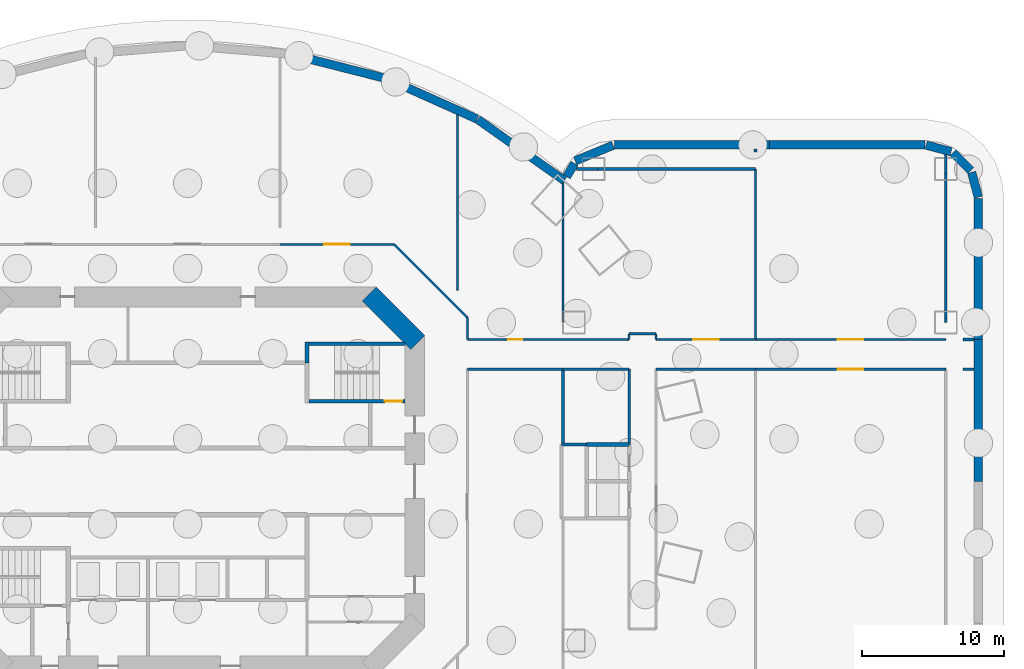
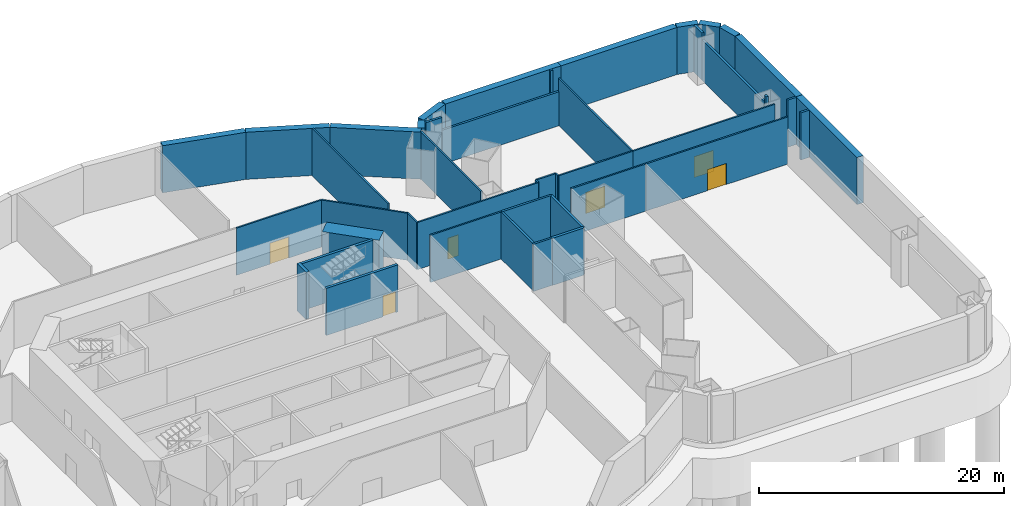
# One storey, part 6 of 9: 44 walls, 6 doors, 6 openings.
"""IFC4 building model written with IfcOpenShell, lengths in metres."""

from ifc_helpers import new_model, si_unit, direction, frame, frame_2d, origin, place, context, subcontext, project, spatial, rectangle, extrude, material, layer, layer_set, type_object, element, fill, save


model = new_model("IFC4")

# Units and contexts
model_context = context("Model", 3, precision=1e-05, world=origin(), true_north=direction((0.0, 1.0)))
body_context = subcontext(model_context, "Body", "Model", "MODEL_VIEW")
ifc_project = project(units=[si_unit("LENGTHUNIT", "METRE"), si_unit("AREAUNIT", "SQUARE_METRE"), si_unit("VOLUMEUNIT", "CUBIC_METRE"), si_unit("PLANEANGLEUNIT", "RADIAN"), si_unit("MASSUNIT", "GRAM", prefix="KILO")], contexts=[model_context])

# Site, building, storey
site_placement = place(None, origin())
site = spatial("IfcSite", under=ifc_project, at=site_placement, CompositionType="ELEMENT")
building_placement = place(site_placement, origin())
building = spatial("IfcBuilding", under=site, at=building_placement, Name="Marenthal Gate Tower", CompositionType="ELEMENT")
storey_placement = place(building_placement, frame((0.0, 0.0, -10.0)))
storey = spatial("IfcBuildingStorey", under=building, at=storey_placement, Name="B2", CompositionType="ELEMENT", Elevation=-10.0)

# Walls
ifc_material_1 = material(Name="Concrete 50 MPa", Category="concrete")
ifc_layer_1 = layer(ifc_material_1, 0.60009765625)
ifc_layer_set_1 = layer_set([ifc_layer_1], Name="BASEMENT WALL 600")
wall_type_1 = type_object("IfcWallType", Name="BASEMENT WALL 600", PredefinedType="SOLIDWALL", material=ifc_layer_set_1)
wall_1_placement = place(storey_placement, frame((55.699951171875, 0.00048828125, 0.0), z_axis=(0.0, 0.0, 1.0), x_axis=(0.0, 1.0, 0.0)))
element("IfcWall", 1, at=wall_1_placement, inside=storey, type_object=wall_type_1, Name="BW-B2-18", PredefinedType="SOLIDWALL", context=body_context, shape_type="SweptSolid", body=[
    extrude(rectangle(XDim=9.98974609375, YDim=0.60009765625, at=frame_2d((4.994873046875, 0.0))), origin(), (0.0, 0.0, 1.0), 4.699951171875),
])
wall_2_placement = place(storey_placement, frame((55.699951171875, 9.99072265625, 0.0), z_axis=(0.0, 0.0, 1.0), x_axis=(0.0, 1.0, 0.0)))
element("IfcWall", 2, at=wall_2_placement, inside=storey, type_object=wall_type_1, Name="BW-B2-19", PredefinedType="SOLIDWALL", context=body_context, shape_type="SweptSolid", body=[
    extrude(rectangle(XDim=9.9501953125, YDim=0.60009765625, at=frame_2d((4.97509765625, 0.0))), origin(), (0.0, 0.0, 1.0), 4.699951171875),
])
wall_3_placement = place(storey_placement, frame((55.690185546875, 20.0166015625, 0.0), z_axis=(0.0, 0.0, 1.0), x_axis=(-0.257411521733, 0.966301872336, 0.0)))
element("IfcWall", 3, at=wall_3_placement, inside=storey, type_object=wall_type_1, Name="BW-B2-20", PredefinedType="SOLIDWALL", context=body_context, shape_type="SweptSolid", body=[
    extrude(rectangle(XDim=1.8154296875, YDim=0.60009765625, at=frame_2d((0.90771484375, 0.0))), origin(), (0.0, 0.0, 1.0), 4.699951171875),
])
wall_4_placement = place(storey_placement, frame((55.146484375, 21.904052734375, 0.0), z_axis=(0.0, 0.0, 1.0), x_axis=(-0.707037214875, 0.707176340655, 0.0)))
element("IfcWall", 4, at=wall_4_placement, inside=storey, type_object=wall_type_1, Name="BW-B2-21", PredefinedType="SOLIDWALL", context=body_context, shape_type="SweptSolid", body=[
    extrude(rectangle(XDim=1.7548828125, YDim=0.60009765625, at=frame_2d((0.87744140625, 0.0))), origin(), (0.0, 0.0, 1.0), 4.699951171875),
])
wall_5_placement = place(storey_placement, frame((53.77294921875, 23.22216796875, 0.0), z_axis=(0.0, 0.0, 1.0), x_axis=(-0.966252788837, 0.257595706611, 0.0)))
element("IfcWall", 5, at=wall_5_placement, inside=storey, type_object=wall_type_1, Name="BW-B2-22", PredefinedType="SOLIDWALL", context=body_context, shape_type="SweptSolid", body=[
    extrude(rectangle(XDim=1.81591796875, YDim=0.60009765625, at=frame_2d((0.907958984375, 0.0))), origin(), (0.0, 0.0, 1.0), 4.699951171875),
])
wall_6_placement = place(storey_placement, frame((51.94287109375, 23.699951171875, 0.0), z_axis=(0.0, 0.0, 1.0), x_axis=(-1.0, 0.0, 0.0)))
element("IfcWall", 6, at=wall_6_placement, inside=storey, type_object=wall_type_1, Name="BW-B2-23", PredefinedType="SOLIDWALL", context=body_context, shape_type="SweptSolid", body=[
    extrude(rectangle(XDim=10.94287109375, YDim=0.60009765625, at=frame_2d((5.471435546875, 0.0))), origin(), (0.0, 0.0, 1.0), 4.699951171875),
])
wall_7_placement = place(storey_placement, frame((40.99951171875, 23.699951171875, 0.0), z_axis=(0.0, 0.0, 1.0), x_axis=(-1.0, 0.0, 0.0)))
element("IfcWall", 7, at=wall_7_placement, inside=storey, type_object=wall_type_1, Name="BW-B2-24", PredefinedType="SOLIDWALL", context=body_context, shape_type="SweptSolid", body=[
    extrude(rectangle(XDim=10.92041015625, YDim=0.60009765625, at=frame_2d((5.460205078125, 0.0))), origin(), (0.0, 0.0, 1.0), 4.699951171875),
])
wall_8_placement = place(storey_placement, frame((29.966552734375, 23.677978515625, 0.0), z_axis=(0.0, 0.0, 1.0), x_axis=(-0.924594107129, -0.380953720368, 0.0)))
element("IfcWall", 8, at=wall_8_placement, inside=storey, type_object=wall_type_1, Name="BW-B2-25", PredefinedType="SOLIDWALL", context=body_context, shape_type="SweptSolid", body=[
    extrude(rectangle(XDim=2.890380859375, YDim=0.60009765625, at=frame_2d((1.4453125, 0.0))), origin(), (0.0, 0.0, 1.0), 4.699951171875),
])
wall_9_placement = place(storey_placement, frame((27.253173828125, 22.3955078125, 0.0), z_axis=(0.0, 0.0, 1.0), x_axis=(-0.517277311774, -0.855817844359, 0.0)))
element("IfcWall", 9, at=wall_9_placement, inside=storey, type_object=wall_type_1, Name="BW-B2-26", PredefinedType="SOLIDWALL", context=body_context, shape_type="SweptSolid", body=[
    extrude(rectangle(XDim=1.083251953125, YDim=0.60009765625, at=frame_2d((0.54150390625, 0.0))), origin(), (0.0, 0.0, 1.0), 4.699951171875),
])
wall_10_placement = place(storey_placement, frame((26.52587890625, 21.193115234375, 0.0), z_axis=(0.0, 0.0, 1.0), x_axis=(-0.81677189091, 0.576960725023, 0.0)))
element("IfcWall", 10, at=wall_10_placement, inside=storey, type_object=wall_type_1, Name="BW-B2-27", PredefinedType="SOLIDWALL", context=body_context, shape_type="SweptSolid", body=[
    extrude(rectangle(XDim=7.459228515625, YDim=0.60009765625, at=frame_2d((3.7294921875, 0.0))), origin(), (0.0, 0.0, 1.0), 4.699951171875),
])
wall_11_placement = place(storey_placement, frame((20.384521484375, 25.52490234375, 0.0), z_axis=(0.0, 0.0, 1.0), x_axis=(-0.912664491664, 0.408709585959, 0.0)))
element("IfcWall", 11, at=wall_11_placement, inside=storey, type_object=wall_type_1, Name="BW-B2-28", PredefinedType="SOLIDWALL", context=body_context, shape_type="SweptSolid", body=[
    extrude(rectangle(XDim=6.90283203125, YDim=0.60009765625, at=frame_2d((3.451416015625, 0.0))), origin(), (0.0, 0.0, 1.0), 4.699951171875),
])
wall_12_placement = place(storey_placement, frame((14.037353515625, 28.36279296875, 0.0), z_axis=(0.0, 0.0, 1.0), x_axis=(-0.96919567172, 0.246292001332, 0.0)))
element("IfcWall", 12, at=wall_12_placement, inside=storey, type_object=wall_type_1, Name="BW-B2-29", PredefinedType="SOLIDWALL", context=body_context, shape_type="SweptSolid", body=[
    extrude(rectangle(XDim=7.061767578125, YDim=0.60009765625, at=frame_2d((3.53076171875, 0.0))), origin(), (0.0, 0.0, 1.0), 4.699951171875),
])
ifc_material_2 = material(Name="Concrete 60 MPa", Category="concrete")
ifc_layer_2 = layer(ifc_material_2, 1.39990234375)
ifc_layer_set_2 = layer_set([ifc_layer_2], Name="Core shear wall 1400")
wall_type_2 = type_object("IfcWallType", Name="Core shear wall 1400", PredefinedType="SHEAR", material=ifc_layer_set_2)
wall_13_placement = place(storey_placement, frame((16.205078125, 9.794921875, 0.0), z_axis=(0.0, 0.0, 1.0), x_axis=(-0.707106781187, 0.707106781187, 0.0)))
element("IfcWall", 13, at=wall_13_placement, inside=storey, type_object=wall_type_2, Name="Core wall 03", PredefinedType="SHEAR", context=body_context, shape_type="SweptSolid", body=[
    extrude(rectangle(XDim=4.82275390625, YDim=1.39990234375, at=frame_2d((2.411376953125, 0.0))), origin(), (0.0, 0.0, 1.0), 4.699951171875),
])
ifc_material_3 = material(Name="Concrete 40 MPa", Category="concrete")
ifc_layer_3 = layer(ifc_material_3, 0.25)
ifc_layer_set_3 = layer_set([ifc_layer_3], Name="Hoistway wall 250")
wall_type_3 = type_object("IfcWallType", Name="Hoistway wall 250", PredefinedType="STANDARD", material=ifc_layer_set_3)
wall_14_placement = place(storey_placement, frame((28.10009765625, 2.60009765625, 0.0), z_axis=(0.0, 0.0, 1.0), x_axis=(1.0, 0.0, 0.0)))
element("IfcWall", 14, at=wall_14_placement, inside=storey, type_object=wall_type_3, Name="Hoistway wall 48", PredefinedType="STANDARD", context=body_context, shape_type="SweptSolid", body=[
    extrude(rectangle(XDim=3.0, YDim=0.25, at=frame_2d((1.5, 0.0))), origin(), (0.0, 0.0, 1.0), 4.699951171875),
])
ifc_material_4 = material(Name="Gypsum board on steel studs", Category="steel")
ifc_layer_4 = layer(ifc_material_4, 0.14990234375)
ifc_layer_set_4 = layer_set([ifc_layer_4], Name="Partition 150")
wall_type_4 = type_object("IfcWallType", Name="Partition 150", PredefinedType="PARTITIONING", material=ifc_layer_set_4)
wall_15_placement = place(storey_placement, frame((33.0, 7.89990234375, 0.0), z_axis=(0.0, 0.0, 1.0), x_axis=(1.0, 0.0, 0.0)))
element("IfcWall", 15, at=wall_15_placement, inside=storey, type_object=wall_type_4, Name="Partition wall 55", PredefinedType="PARTITIONING", context=body_context, shape_type="SweptSolid", body=[
    extrude(rectangle(XDim=7.0048828125, YDim=0.14990234375, at=frame_2d((3.50244140625, 0.0))), origin(), (0.0, 0.0, 1.0), 4.699951171875),
])

# Wall, opening, door
wall_16_placement = place(storey_placement, frame((19.699951171875, 10.0, 0.0), z_axis=(0.0, 0.0, 1.0), x_axis=(1.0, 0.0, 0.0)))
wall_16 = element("IfcWall", 16, at=wall_16_placement, inside=storey, type_object=wall_type_4, Name="Partition wall 57", PredefinedType="PARTITIONING", context=body_context, shape_type="SweptSolid", body=[
    extrude(rectangle(XDim=11.400146484375, YDim=0.14990234375, at=frame_2d((5.7001953125, 0.0))), origin(), (0.0, 0.0, 1.0), 4.699951171875),
])
opening_1_placement = place(wall_16_placement, frame((2.875, 0.0, 0.0)))
opening_1 = element("IfcOpeningElement", 17, at=opening_1_placement, cuts=wall_16, Name="Opening D009.02", PredefinedType="OPENING", context=body_context, shape_type="SweptSolid", body=[
    extrude(rectangle(XDim=1.0, YDim=2.10009765625, at=frame_2d((0.5, 1.050048828125))), frame((0.0, 0.0849609375, 0.0), z_axis=(0.0, -1.0, 0.0), x_axis=(1.0, 0.0, 0.0)), (0.0, 0.0, 1.0), 0.169921875),
])
ifc_material_5 = material(Name="Steel fire door", Category="steel")
door_type_1 = type_object("IfcDoorType", Name="Fire door FD 90 1000 x 2100", OperationType="NOTDEFINED", PredefinedType="DOOR", material=ifc_material_5)
door_1_placement = place(opening_1_placement, origin())
door_1 = element("IfcDoor", 18, at=door_1_placement, inside=storey, type_object=door_type_1, Name="Door D009.02", OperationType="SINGLE_SWING_RIGHT", OverallHeight=2.10009765625, OverallWidth=1.0, PredefinedType="DOOR", context=body_context, shape_type="SweptSolid", body=[
    extrude(rectangle(XDim=1.0, YDim=2.10009765625, at=frame_2d((0.5, 1.050048828125))), frame((0.0, 0.02490234375, 0.0), z_axis=(0.0, -1.0, 0.0), x_axis=(1.0, 0.0, 0.0)), (0.0, 0.0, 1.0), 0.050048828125),
])
fill(opening_1, door_1)

wall_17_placement = place(storey_placement, frame((33.0, 10.0, 0.0), z_axis=(0.0, 0.0, 1.0), x_axis=(1.0, 0.0, 0.0)))
wall_17 = element("IfcWall", 19, at=wall_17_placement, inside=storey, type_object=wall_type_4, Name="Partition wall 58", PredefinedType="PARTITIONING", context=body_context, shape_type="SweptSolid", body=[
    extrude(rectangle(XDim=7.0048828125, YDim=0.14990234375, at=frame_2d((3.50244140625, 0.0))), origin(), (0.0, 0.0, 1.0), 4.699951171875),
])
opening_2_placement = place(wall_17_placement, frame((2.60009765625, 0.0, 0.0)))
opening_2 = element("IfcOpeningElement", 20, at=opening_2_placement, cuts=wall_17, Name="Opening D008.04", PredefinedType="OPENING", context=body_context, shape_type="SweptSolid", body=[
    extrude(rectangle(XDim=1.800048828125, YDim=2.10009765625, at=frame_2d((0.89990234375, 1.050048828125))), frame((0.0, 0.0849609375, 0.0), z_axis=(0.0, -1.0, 0.0), x_axis=(1.0, 0.0, 0.0)), (0.0, 0.0, 1.0), 0.169921875),
])
ifc_material_6 = material(Name="Steel fire door", Category="steel")
door_type_2 = type_object("IfcDoorType", Name="Double fire door FD 90 1800 x 2100", OperationType="DOUBLE_DOOR_SINGLE_SWING", PredefinedType="DOOR", material=ifc_material_6)
door_2_placement = place(opening_2_placement, origin())
door_2 = element("IfcDoor", 21, at=door_2_placement, inside=storey, type_object=door_type_2, Name="Door D008.04", OperationType="DOUBLE_DOOR_SINGLE_SWING", OverallHeight=2.10009765625, OverallWidth=1.800048828125, PredefinedType="DOOR", context=body_context, shape_type="SweptSolid", body=[
    extrude(rectangle(XDim=1.800048828125, YDim=2.10009765625, at=frame_2d((0.89990234375, 1.050048828125))), frame((0.0, 0.02490234375, 0.0), z_axis=(0.0, -1.0, 0.0), x_axis=(1.0, 0.0, 0.0)), (0.0, 0.0, 1.0), 0.050048828125),
])
fill(opening_2, door_2)

# Wall
wall_18_placement = place(storey_placement, frame((31.10009765625, 10.39990234375, 0.0), z_axis=(0.0, 0.0, 1.0), x_axis=(1.0, 0.0, 0.0)))
element("IfcWall", 22, at=wall_18_placement, inside=storey, type_object=wall_type_4, Name="Partition wall 59", PredefinedType="PARTITIONING", context=body_context, shape_type="SweptSolid", body=[
    extrude(rectangle(XDim=1.89990234375, YDim=0.14990234375, at=frame_2d((0.949951171875, 0.0))), origin(), (0.0, 0.0, 1.0), 4.699951171875),
])

# Wall, opening, door
wall_19_placement = place(storey_placement, frame((6.4951171875, 16.699951171875, 0.0), z_axis=(0.0, 0.0, 1.0), x_axis=(1.0, 0.0, 0.0)))
wall_19 = element("IfcWall", 23, at=wall_19_placement, inside=storey, type_object=wall_type_4, Name="Partition wall 60", PredefinedType="PARTITIONING", context=body_context, shape_type="SweptSolid", body=[
    extrude(rectangle(XDim=8.037353515625, YDim=0.14990234375, at=frame_2d((4.0185546875, 0.0))), origin(), (0.0, 0.0, 1.0), 4.699951171875),
])
opening_3_placement = place(wall_19_placement, frame((3.121337890625, 0.0, 0.0)))
opening_3 = element("IfcOpeningElement", 24, at=opening_3_placement, cuts=wall_19, Name="Opening D008.03", PredefinedType="OPENING", context=body_context, shape_type="SweptSolid", body=[
    extrude(rectangle(XDim=1.800048828125, YDim=2.10009765625, at=frame_2d((0.89990234375, 1.050048828125))), frame((0.0, 0.0849609375, 0.0), z_axis=(0.0, -1.0, 0.0), x_axis=(1.0, 0.0, 0.0)), (0.0, 0.0, 1.0), 0.169921875),
])
door_3_placement = place(opening_3_placement, origin())
door_3 = element("IfcDoor", 25, at=door_3_placement, inside=storey, type_object=door_type_2, Name="Door D008.03", OperationType="DOUBLE_DOOR_SINGLE_SWING", OverallHeight=2.10009765625, OverallWidth=1.800048828125, PredefinedType="DOOR", context=body_context, shape_type="SweptSolid", body=[
    extrude(rectangle(XDim=1.800048828125, YDim=2.10009765625, at=frame_2d((0.89990234375, 1.050048828125))), frame((0.0, 0.02490234375, 0.0), z_axis=(0.0, -1.0, 0.0), x_axis=(1.0, 0.0, 0.0)), (0.0, 0.0, 1.0), 0.050048828125),
])
fill(opening_3, door_3)

# Walls
wall_20_placement = place(storey_placement, frame((40.0, 10.0, 0.0), z_axis=(0.0, 0.0, 1.0), x_axis=(0.0, 1.0, 0.0)))
element("IfcWall", 26, at=wall_20_placement, inside=storey, type_object=wall_type_4, Name="Partition wall 63", PredefinedType="PARTITIONING", context=body_context, shape_type="SweptSolid", body=[
    extrude(rectangle(XDim=12.0, YDim=0.14990234375, at=frame_2d((6.0, 0.0))), origin(), (0.0, 0.0, 1.0), 4.699951171875),
])
for number, where, z_axis, x_axis, name in (
    (27, (33.0, 9.9951171875, 0.0), (0.0, 0.0, 1.0), (0.0, 1.0, 0.0), "Partition wall 65"),
    (28, (31.10009765625, 9.9951171875, 0.0), (0.0, 0.0, 1.0), (0.0, 1.0, 0.0), "Partition wall 67"),
):
    element("IfcWall", number, at=place(storey_placement, frame(where, z_axis=z_axis, x_axis=x_axis)), inside=storey, type_object=wall_type_4, Name=name, PredefinedType="PARTITIONING", context=body_context, shape_type="SweptSolid", body=[
        extrude(rectangle(XDim=0.40478515625, YDim=0.14990234375, at=frame_2d((0.202392578125, 0.0))), origin(), (0.0, 0.0, 1.0), 4.699951171875),
    ])
wall_21_placement = place(storey_placement, frame((26.449951171875, 11.199951171875, 0.0), z_axis=(0.0, 0.0, 1.0), x_axis=(0.0, 1.0, 0.0)))
element("IfcWall", 29, at=wall_21_placement, inside=storey, type_object=wall_type_4, Name="Partition wall 69", PredefinedType="PARTITIONING", context=body_context, shape_type="SweptSolid", body=[
    extrude(rectangle(XDim=9.8623046875, YDim=0.14990234375, at=frame_2d((4.93115234375, 0.0))), origin(), (0.0, 0.0, 1.0), 4.699951171875),
])
wall_22_placement = place(storey_placement, frame((19.699951171875, 9.9951171875, 0.0), z_axis=(0.0, 0.0, 1.0), x_axis=(0.0, 1.0, 0.0)))
element("IfcWall", 30, at=wall_22_placement, inside=storey, type_object=wall_type_4, Name="Partition wall 70", PredefinedType="PARTITIONING", context=body_context, shape_type="SweptSolid", body=[
    extrude(rectangle(XDim=1.537353515625, YDim=0.14990234375, at=frame_2d((0.7685546875, 0.0))), origin(), (0.0, 0.0, 1.0), 4.699951171875),
])
wall_23_placement = place(storey_placement, frame((19.0, 13.4326171875, 0.0), z_axis=(0.0, 0.0, 1.0), x_axis=(0.0, 1.0, 0.0)))
element("IfcWall", 31, at=wall_23_placement, inside=storey, type_object=wall_type_4, Name="Partition wall 71", PredefinedType="PARTITIONING", context=body_context, shape_type="SweptSolid", body=[
    extrude(rectangle(XDim=12.402587890625, YDim=0.14990234375, at=frame_2d((6.201171875, 0.0))), origin(), (0.0, 0.0, 1.0), 4.699951171875),
])
wall_24_placement = place(storey_placement, frame((19.699951171875, 11.532470703125, 0.0), z_axis=(0.0, 0.0, 1.0), x_axis=(-0.707106781187, 0.707106781187, 0.0)))
element("IfcWall", 32, at=wall_24_placement, inside=storey, type_object=wall_type_4, Name="Partition wall 79", PredefinedType="PARTITIONING", context=body_context, shape_type="SweptSolid", body=[
    extrude(rectangle(XDim=7.307861328125, YDim=0.14990234375, at=frame_2d((3.65380859375, 0.0))), origin(), (0.0, 0.0, 1.0), 4.699951171875),
])
wall_25_placement = place(storey_placement, frame((19.699951171875, 7.89990234375, 0.0), z_axis=(0.0, 0.0, 1.0), x_axis=(1.0, 0.0, 0.0)))
element("IfcWall", 33, at=wall_25_placement, inside=storey, type_object=wall_type_4, Name="Partition wall 84", PredefinedType="PARTITIONING", context=body_context, shape_type="SweptSolid", body=[
    extrude(rectangle(XDim=6.755126953125, YDim=0.14990234375, at=frame_2d((3.37744140625, 0.0))), origin(), (0.0, 0.0, 1.0), 4.699951171875),
])

# Wall, opening, door
wall_26_placement = place(storey_placement, frame((39.9951171875, 7.89990234375, 0.0), z_axis=(0.0, 0.0, 1.0), x_axis=(1.0, 0.0, 0.0)))
wall_26 = element("IfcWall", 34, at=wall_26_placement, inside=storey, type_object=wall_type_4, Name="Partition wall 85", PredefinedType="PARTITIONING", context=body_context, shape_type="SweptSolid", body=[
    extrude(rectangle(XDim=13.409912109375, YDim=0.14990234375, at=frame_2d((6.705078125, 0.0))), origin(), (0.0, 0.0, 1.0), 4.699951171875),
])
opening_4_placement = place(wall_26_placement, frame((5.804931640625, 0.0, 0.0)))
opening_4 = element("IfcOpeningElement", 35, at=opening_4_placement, cuts=wall_26, Name="Opening D007.07", PredefinedType="OPENING", context=body_context, shape_type="SweptSolid", body=[
    extrude(rectangle(XDim=1.800048828125, YDim=2.10009765625, at=frame_2d((0.89990234375, 1.050048828125))), frame((0.0, 0.0849609375, 0.0), z_axis=(0.0, -1.0, 0.0), x_axis=(1.0, 0.0, 0.0)), (0.0, 0.0, 1.0), 0.169921875),
])
ifc_material_7 = material(Name="Steel fire door", Category="steel")
door_type_3 = type_object("IfcDoorType", Name="Double fire door FD 45 1800 x 2100", OperationType="DOUBLE_DOOR_SINGLE_SWING", PredefinedType="DOOR", material=ifc_material_7)
door_4_placement = place(opening_4_placement, origin())
door_4 = element("IfcDoor", 36, at=door_4_placement, inside=storey, type_object=door_type_3, Name="Door D007.07", OperationType="DOUBLE_DOOR_SINGLE_SWING", OverallHeight=2.10009765625, OverallWidth=1.800048828125, PredefinedType="DOOR", context=body_context, shape_type="SweptSolid", body=[
    extrude(rectangle(XDim=1.800048828125, YDim=2.10009765625, at=frame_2d((0.89990234375, 1.050048828125))), frame((0.0, 0.02490234375, 0.0), z_axis=(0.0, -1.0, 0.0), x_axis=(1.0, 0.0, 0.0)), (0.0, 0.0, 1.0), 0.050048828125),
])
fill(opening_4, door_4)

wall_27_placement = place(storey_placement, frame((39.9951171875, 10.0, 0.0), z_axis=(0.0, 0.0, 1.0), x_axis=(1.0, 0.0, 0.0)))
wall_27 = element("IfcWall", 37, at=wall_27_placement, inside=storey, type_object=wall_type_4, Name="Partition wall 88", PredefinedType="PARTITIONING", context=body_context, shape_type="SweptSolid", body=[
    extrude(rectangle(XDim=13.409912109375, YDim=0.14990234375, at=frame_2d((6.705078125, 0.0))), origin(), (0.0, 0.0, 1.0), 4.699951171875),
])
opening_5_placement = place(wall_27_placement, frame((5.804931640625, 0.0, 0.0)))
opening_5 = element("IfcOpeningElement", 38, at=opening_5_placement, cuts=wall_27, Name="Opening D007.12", PredefinedType="OPENING", context=body_context, shape_type="SweptSolid", body=[
    extrude(rectangle(XDim=1.800048828125, YDim=2.10009765625, at=frame_2d((0.89990234375, 1.050048828125))), frame((0.0, 0.0849609375, 0.0), z_axis=(0.0, -1.0, 0.0), x_axis=(1.0, 0.0, 0.0)), (0.0, 0.0, 1.0), 0.169921875),
])
door_5_placement = place(opening_5_placement, origin())
door_5 = element("IfcDoor", 39, at=door_5_placement, inside=storey, type_object=door_type_3, Name="Door D007.12", OperationType="DOUBLE_DOOR_SINGLE_SWING", OverallHeight=2.10009765625, OverallWidth=1.800048828125, PredefinedType="DOOR", context=body_context, shape_type="SweptSolid", body=[
    extrude(rectangle(XDim=1.800048828125, YDim=2.10009765625, at=frame_2d((0.89990234375, 1.050048828125))), frame((0.0, 0.02490234375, 0.0), z_axis=(0.0, -1.0, 0.0), x_axis=(1.0, 0.0, 0.0)), (0.0, 0.0, 1.0), 0.050048828125),
])
fill(opening_5, door_5)

# Walls
ifc_material_8 = material(Name="Gypsum board on steel studs", Category="steel")
ifc_layer_5 = layer(ifc_material_8, 0.199951171875)
ifc_layer_set_5 = layer_set([ifc_layer_5], Name="Partition 200")
wall_type_5 = type_object("IfcWallType", Name="Partition 200", PredefinedType="PARTITIONING", material=ifc_layer_set_5)
wall_28_placement = place(storey_placement, frame((26.330078125, 2.60009765625, 0.0), z_axis=(0.0, 0.0, 1.0), x_axis=(1.0, 0.0, 0.0)))
element("IfcWall", 40, at=wall_28_placement, inside=storey, type_object=wall_type_5, Name="Partition wall 10", PredefinedType="PARTITIONING", context=body_context, shape_type="SweptSolid", body=[
    extrude(rectangle(XDim=1.77001953125, YDim=0.199951171875, at=frame_2d((0.885009765625, 0.0))), origin(), (0.0, 0.0, 1.0), 4.699951171875),
])
wall_29_placement = place(storey_placement, frame((26.445068359375, 7.89990234375, 0.0), z_axis=(0.0, 0.0, 1.0), x_axis=(1.0, 0.0, 0.0)))
element("IfcWall", 41, at=wall_29_placement, inside=storey, type_object=wall_type_5, Name="Partition wall 13", PredefinedType="PARTITIONING", context=body_context, shape_type="SweptSolid", body=[
    extrude(rectangle(XDim=4.655029296875, YDim=0.199951171875, at=frame_2d((2.32763671875, 0.0))), origin(), (0.0, 0.0, 1.0), 4.699951171875),
])
for number, where, z_axis, x_axis, name in (
    (42, (54.594970703125, 7.89990234375, 0.0), (0.0, 0.0, 1.0), (1.0, 0.0, 0.0), "Partition wall 14"),
    (43, (54.594970703125, 10.0, 0.0), (0.0, 0.0, 1.0), (1.0, 0.0, 0.0), "Partition wall 16"),
):
    element("IfcWall", number, at=place(storey_placement, frame(where, z_axis=z_axis, x_axis=x_axis)), inside=storey, type_object=wall_type_5, Name=name, PredefinedType="PARTITIONING", context=body_context, shape_type="SweptSolid", body=[
        extrude(rectangle(XDim=0.804931640625, YDim=0.199951171875, at=frame_2d((0.40234375, 0.0))), origin(), (0.0, 0.0, 1.0), 4.699951171875),
    ])
wall_30_placement = place(storey_placement, frame((27.371826171875, 22.0, 0.0), z_axis=(0.0, 0.0, 1.0), x_axis=(1.0, 0.0, 0.0)))
element("IfcWall", 44, at=wall_30_placement, inside=storey, type_object=wall_type_5, Name="Partition wall 18", PredefinedType="PARTITIONING", context=body_context, shape_type="SweptSolid", body=[
    extrude(rectangle(XDim=1.528076171875, YDim=0.199951171875, at=frame_2d((0.76416015625, 0.0))), origin(), (0.0, 0.0, 1.0), 4.699951171875),
])
wall_31_placement = place(storey_placement, frame((28.89990234375, 22.0, 0.0), z_axis=(0.0, 0.0, 1.0), x_axis=(1.0, 0.0, 0.0)))
element("IfcWall", 45, at=wall_31_placement, inside=storey, type_object=wall_type_5, Name="Partition wall 136", PredefinedType="PARTITIONING", context=body_context, shape_type="SweptSolid", body=[
    extrude(rectangle(XDim=11.10009765625, YDim=0.199951171875, at=frame_2d((5.550048828125, 0.0))), origin(), (0.0, 0.0, 1.0), 3.39990234375),
])
wall_32_placement = place(storey_placement, frame((53.39990234375, 11.199951171875, 0.0), z_axis=(0.0, 0.0, 1.0), x_axis=(0.0, 1.0, 0.0)))
element("IfcWall", 46, at=wall_32_placement, inside=storey, type_object=wall_type_5, Name="Partition wall 20", PredefinedType="PARTITIONING", context=body_context, shape_type="SweptSolid", body=[
    extrude(rectangle(XDim=0.300048828125, YDim=0.199951171875, at=frame_2d((0.14990234375, 0.0))), origin(), (0.0, 0.0, 1.0), 4.699951171875),
])
wall_33_placement = place(storey_placement, frame((53.39990234375, 11.5, 0.0), z_axis=(0.0, 0.0, 1.0), x_axis=(0.0, 1.0, 0.0)))
element("IfcWall", 47, at=wall_33_placement, inside=storey, type_object=wall_type_5, Name="Partition wall 140", PredefinedType="PARTITIONING", context=body_context, shape_type="SweptSolid", body=[
    extrude(rectangle(XDim=10.199951171875, YDim=0.199951171875, at=frame_2d((5.10009765625, 0.0))), origin(), (0.0, 0.0, 1.0), 4.01708984375),
])
wall_34_placement = place(storey_placement, frame((53.39990234375, 21.699951171875, 0.0), z_axis=(0.0, 0.0, 1.0), x_axis=(0.0, 1.0, 0.0)))
element("IfcWall", 48, at=wall_34_placement, inside=storey, type_object=wall_type_5, Name="Partition wall 141", PredefinedType="PARTITIONING", context=body_context, shape_type="SweptSolid", body=[
    extrude(rectangle(XDim=1.3154296875, YDim=0.199951171875, at=frame_2d((0.65771484375, 0.0))), origin(), (0.0, 0.0, 1.0), 4.699951171875),
])
wall_35_placement = place(storey_placement, frame((40.0, 23.195068359375, 0.0), z_axis=(0.0, 0.0, 1.0), x_axis=(0.0, 1.0, 0.0)))
element("IfcWall", 49, at=wall_35_placement, inside=storey, type_object=wall_type_5, Name="Partition wall 22", PredefinedType="PARTITIONING", context=body_context, shape_type="SweptSolid", body=[
    extrude(rectangle(XDim=0.21484375, YDim=0.199951171875, at=frame_2d((0.107421875, 0.0))), origin(), (0.0, 0.0, 1.0), 4.699951171875),
])
wall_36_placement = place(storey_placement, frame((31.10009765625, 2.594970703125, 0.0), z_axis=(0.0, 0.0, 1.0), x_axis=(0.0, 1.0, 0.0)))
element("IfcWall", 50, at=wall_36_placement, inside=storey, type_object=wall_type_5, Name="Partition wall 23", PredefinedType="PARTITIONING", context=body_context, shape_type="SweptSolid", body=[
    extrude(rectangle(XDim=5.31005859375, YDim=0.199951171875, at=frame_2d((2.655029296875, 0.0))), origin(), (0.0, 0.0, 1.0), 4.699951171875),
])
wall_37_placement = place(storey_placement, frame((26.449951171875, 2.60009765625, 0.0), z_axis=(0.0, 0.0, 1.0), x_axis=(0.0, 1.0, 0.0)))
element("IfcWall", 51, at=wall_37_placement, inside=storey, type_object=wall_type_5, Name="Partition wall 24", PredefinedType="PARTITIONING", context=body_context, shape_type="SweptSolid", body=[
    extrude(rectangle(XDim=5.2998046875, YDim=0.199951171875, at=frame_2d((2.64990234375, 0.0))), origin(), (0.0, 0.0, 1.0), 4.699951171875),
])

# Wall, opening, door
ifc_material_9 = material(Name="Concrete 50 MPa", Category="concrete")
ifc_layer_6 = layer(ifc_material_9, 0.25)
ifc_layer_set_6 = layer_set([ifc_layer_6], Name="Stair shear wall 250")
wall_type_6 = type_object("IfcWallType", Name="Stair shear wall 250", PredefinedType="SHEAR", material=ifc_layer_set_6)
wall_38_placement = place(storey_placement, frame((8.550048828125, 5.64990234375, 0.0), z_axis=(0.0, 0.0, 1.0), x_axis=(1.0, 0.0, 0.0)))
wall_38 = element("IfcWall", 52, at=wall_38_placement, inside=storey, type_object=wall_type_6, Name="Stair wall 23", PredefinedType="SHEAR", context=body_context, shape_type="SweptSolid", body=[
    extrude(rectangle(XDim=6.75, YDim=0.25, at=frame_2d((3.375, 0.0))), origin(), (0.0, 0.0, 1.0), 4.699951171875),
])
opening_6_placement = place(wall_38_placement, frame((5.35009765625, 0.0, 0.0)))
opening_6 = element("IfcOpeningElement", 53, at=opening_6_placement, cuts=wall_38, Name="Opening D001.02", PredefinedType="OPENING", context=body_context, shape_type="SweptSolid", body=[
    extrude(rectangle(XDim=1.199951171875, YDim=2.10009765625, at=frame_2d((0.60009765625, 1.050048828125))), frame((0.0, 0.135009765625, 0.0), z_axis=(0.0, -1.0, 0.0), x_axis=(1.0, 0.0, 0.0)), (0.0, 0.0, 1.0), 0.27001953125),
])
ifc_material_10 = material(Name="Steel fire door", Category="steel")
door_type_4 = type_object("IfcDoorType", Name="Fire door FD 90 1200 x 2100", OperationType="NOTDEFINED", PredefinedType="DOOR", material=ifc_material_10)
door_6_placement = place(opening_6_placement, origin())
door_6 = element("IfcDoor", 54, at=door_6_placement, inside=storey, type_object=door_type_4, Name="Door D001.02", OperationType="SINGLE_SWING_RIGHT", OverallHeight=2.10009765625, OverallWidth=1.199951171875, PredefinedType="DOOR", context=body_context, shape_type="SweptSolid", body=[
    extrude(rectangle(XDim=1.199951171875, YDim=2.10009765625, at=frame_2d((0.60009765625, 1.050048828125))), frame((0.0, 0.02490234375, 0.0), z_axis=(0.0, -1.0, 0.0), x_axis=(1.0, 0.0, 0.0)), (0.0, 0.0, 1.0), 0.050048828125),
])
fill(opening_6, door_6)

# Walls
wall_39_placement = place(storey_placement, frame((8.550048828125, 9.699951171875, 0.0), z_axis=(0.0, 0.0, 1.0), x_axis=(1.0, 0.0, 0.0)))
element("IfcWall", 55, at=wall_39_placement, inside=storey, type_object=wall_type_6, Name="Stair wall 26", PredefinedType="SHEAR", context=body_context, shape_type="SweptSolid", body=[
    extrude(rectangle(XDim=6.75, YDim=0.25, at=frame_2d((3.375, 0.0))), origin(), (0.0, 0.0, 1.0), 4.699951171875),
])
ifc_material_11 = material(Name="Concrete 50 MPa", Category="concrete")
ifc_layer_7 = layer(ifc_material_11, 0.300048828125)
ifc_layer_set_7 = layer_set([ifc_layer_7], Name="Stair shear wall 300")
wall_type_7 = type_object("IfcWallType", Name="Stair shear wall 300", PredefinedType="SHEAR", material=ifc_layer_set_7)
wall_40_placement = place(storey_placement, frame((8.39990234375, 8.35009765625, 0.0), z_axis=(0.0, 0.0, 1.0), x_axis=(0.0, 1.0, 0.0)))
element("IfcWall", 56, at=wall_40_placement, inside=storey, type_object=wall_type_7, Name="Stair wall 41", PredefinedType="SHEAR", context=body_context, shape_type="SweptSolid", body=[
    extrude(rectangle(XDim=1.474853515625, YDim=0.300048828125, at=frame_2d((0.7373046875, 0.0))), origin(), (0.0, 0.0, 1.0), 4.699951171875),
])

save(model, "model.ifc")
